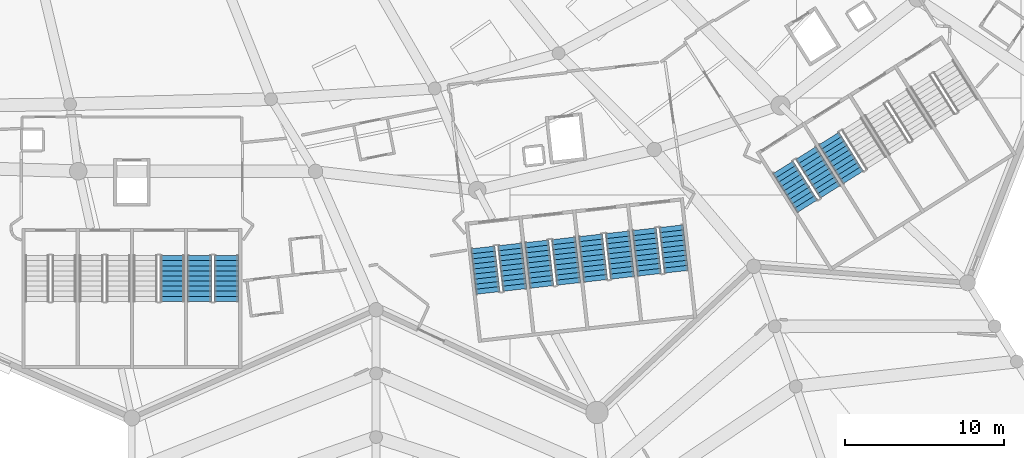
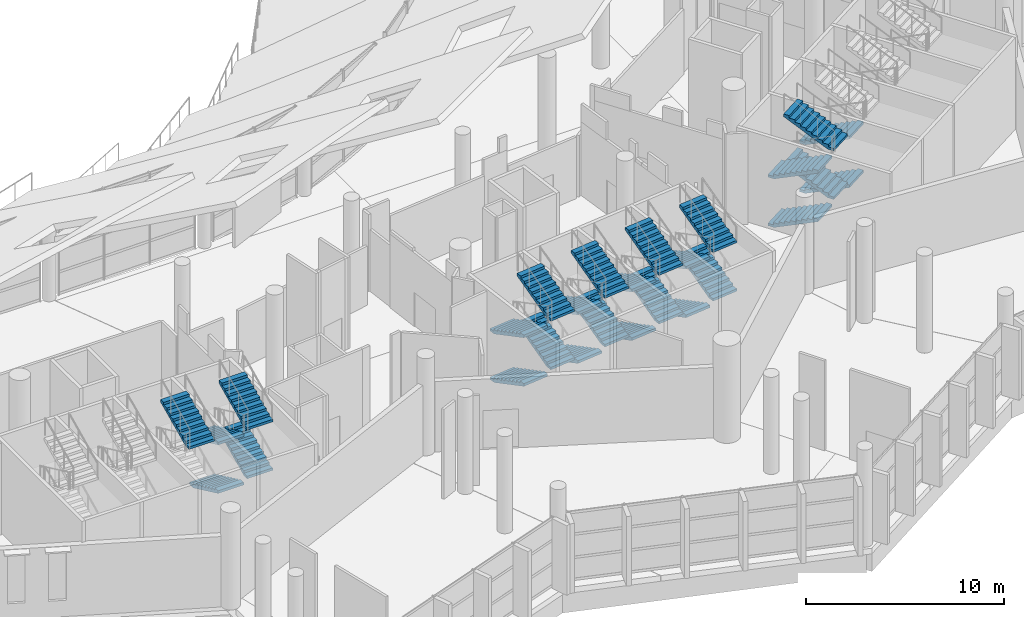
# One storey, part 187 of 249: 27 stair flights, 8 elements without a shape of their own.
"""IFC4 building model written with IfcOpenShell, lengths in metres."""

from ifc_helpers import new_model, si_unit, direction, frame, origin, place, context, subcontext, project, spatial, polyline, outline, extrude, material, type_object, element, aggregate, save


model = new_model("IFC4")

# Units and contexts
model_context = context("Model", 3, precision=1e-05, world=origin(), true_north=direction((0.0, 1.0)))
body_context = subcontext(model_context, "Body", "Model", "MODEL_VIEW")
ifc_project = project(units=[si_unit("LENGTHUNIT", "METRE"), si_unit("AREAUNIT", "SQUARE_METRE"), si_unit("VOLUMEUNIT", "CUBIC_METRE"), si_unit("PLANEANGLEUNIT", "RADIAN"), si_unit("MASSUNIT", "GRAM", prefix="KILO")], contexts=[model_context])

# Site, building, storey
site_placement = place(None, origin())
site = spatial("IfcSite", under=ifc_project, at=site_placement, CompositionType="ELEMENT")
building_placement = place(site_placement, origin())
building = spatial("IfcBuilding", under=site, at=building_placement, Name="Meseta Stadium", CompositionType="ELEMENT")
storey_placement = place(building_placement, frame((0.0, 0.0, 12.0)))
storey = spatial("IfcBuildingStorey", under=building, at=storey_placement, Name="L02", CompositionType="ELEMENT", Elevation=12.0)

# Stair, stair flight
ifc_material_1 = material(Name="Concrete C40/50", Category="concrete")
stair_type = type_object("IfcStairType", Name="Exit stair 4 flights 150 mm risers", PredefinedType="HALF_TURN_STAIR", material=ifc_material_1)
stair_1_placement = place(storey_placement, origin())
stair_1 = element("IfcStair", 1, at=stair_1_placement, inside=storey, type_object=stair_type, Name="ST99 L02", PredefinedType="HALF_TURN_STAIR")
ifc_material_2 = material(Name="Concrete C40/50", Category="concrete")
stair_flight_type = type_object("IfcStairFlightType", Name="Exit stair flight 150 mm risers, 4 per storey", PredefinedType="STRAIGHT", material=ifc_material_2)
stair_flight_1_placement = place(storey_placement, frame((25.550048828125, -98.080078125, 4.5), z_axis=(0.0, 0.0, 1.0), x_axis=(0.0, 1.0, 0.0)))
stair_flight_1 = element("IfcStairFlight", 2, at=stair_flight_1_placement, type_object=stair_flight_type, Name="ST99 L02 flight 4", NumberOfRisers=10, NumberOfTreads=9, PredefinedType="STRAIGHT", RiserHeight=0.15, TreadLength=0.32, context=body_context, shape_type="SweptSolid", body=[
    extrude(outline(polyline([(0.0, 0.0), (0.0, 0.14990234375), (0.320068359375, 0.14990234375), (0.320068359375, 0.300048828125), (0.639892578125, 0.300048828125), (0.639892578125, 0.449951171875), (0.9599609375, 0.449951171875), (0.9599609375, 0.60009765625), (1.280029296875, 0.60009765625), (1.280029296875, 0.75), (1.60009765625, 0.75), (1.60009765625, 0.89990234375), (1.919921875, 0.89990234375), (1.919921875, 1.050048828125), (2.239990234375, 1.050048828125), (2.239990234375, 1.199951171875), (2.56005859375, 1.199951171875), (2.56005859375, 1.35009765625), (2.8798828125, 1.35009765625), (2.8798828125, 1.184326171875), (0.353271484375, 0.0), (0.0, 0.0)])), frame((0.0, 0.75, 0.0), z_axis=(0.0, -1.0, 0.0), x_axis=(1.0, 0.0, 0.0)), (0.0, 0.0, 1.0), 1.5),
])
aggregate(stair_1, [stair_flight_1])

# Stair, stair flights
stair_2_placement = place(storey_placement, origin())
stair_2 = element("IfcStair", 3, at=stair_2_placement, inside=storey, type_object=stair_type, Name="ST100 L02", PredefinedType="HALF_TURN_STAIR")
stair_flight_2_placement = place(storey_placement, frame((27.25, -95.199951171875, 0.0), z_axis=(0.0, 0.0, 1.0), x_axis=(0.0, -1.0, 0.0)))
stair_flight_2 = element("IfcStairFlight", 4, at=stair_flight_2_placement, type_object=stair_flight_type, Name="ST100 L02 flight 1", NumberOfRisers=10, NumberOfTreads=9, PredefinedType="STRAIGHT", RiserHeight=0.15, TreadLength=0.32, context=body_context, shape_type="SweptSolid", body=[
    extrude(outline(polyline([(0.0, 0.0), (0.0, 0.14990234375), (0.320068359375, 0.14990234375), (0.320068359375, 0.300048828125), (0.639892578125, 0.300048828125), (0.639892578125, 0.449951171875), (0.9599609375, 0.449951171875), (0.9599609375, 0.60009765625), (1.280029296875, 0.60009765625), (1.280029296875, 0.75), (1.60009765625, 0.75), (1.60009765625, 0.89990234375), (1.919921875, 0.89990234375), (1.919921875, 1.050048828125), (2.239990234375, 1.050048828125), (2.239990234375, 1.199951171875), (2.56005859375, 1.199951171875), (2.56005859375, 1.35009765625), (2.8798828125, 1.35009765625), (2.8798828125, 1.184326171875), (0.353271484375, 0.0), (0.0, 0.0)])), frame((0.0, 0.75, 0.0), z_axis=(0.0, -1.0, 0.0), x_axis=(1.0, 0.0, 0.0)), (0.0, 0.0, 1.0), 1.5),
])
stair_flight_3_placement = place(storey_placement, frame((28.949951171875, -98.080078125, 1.5), z_axis=(0.0, 0.0, 1.0), x_axis=(0.0, 1.0, 0.0)))
stair_flight_3 = element("IfcStairFlight", 5, at=stair_flight_3_placement, type_object=stair_flight_type, Name="ST100 L02 flight 2", NumberOfRisers=10, NumberOfTreads=9, PredefinedType="STRAIGHT", RiserHeight=0.15, TreadLength=0.32, context=body_context, shape_type="SweptSolid", body=[
    extrude(outline(polyline([(0.0, 0.0), (0.0, 0.14990234375), (0.320068359375, 0.14990234375), (0.320068359375, 0.300048828125), (0.639892578125, 0.300048828125), (0.639892578125, 0.449951171875), (0.9599609375, 0.449951171875), (0.9599609375, 0.60009765625), (1.280029296875, 0.60009765625), (1.280029296875, 0.75), (1.60009765625, 0.75), (1.60009765625, 0.89990234375), (1.919921875, 0.89990234375), (1.919921875, 1.050048828125), (2.239990234375, 1.050048828125), (2.239990234375, 1.199951171875), (2.56005859375, 1.199951171875), (2.56005859375, 1.35009765625), (2.8798828125, 1.35009765625), (2.8798828125, 1.184326171875), (0.353271484375, 0.0), (0.0, 0.0)])), frame((0.0, 0.75, 0.0), z_axis=(0.0, -1.0, 0.0), x_axis=(1.0, 0.0, 0.0)), (0.0, 0.0, 1.0), 1.5),
])
stair_flight_4_placement = place(storey_placement, frame((27.25, -95.199951171875, 3.0), z_axis=(0.0, 0.0, 1.0), x_axis=(0.0, -1.0, 0.0)))
stair_flight_4 = element("IfcStairFlight", 6, at=stair_flight_4_placement, type_object=stair_flight_type, Name="ST100 L02 flight 3", NumberOfRisers=10, NumberOfTreads=9, PredefinedType="STRAIGHT", RiserHeight=0.15, TreadLength=0.32, context=body_context, shape_type="SweptSolid", body=[
    extrude(outline(polyline([(0.0, 0.0), (0.0, 0.14990234375), (0.320068359375, 0.14990234375), (0.320068359375, 0.300048828125), (0.639892578125, 0.300048828125), (0.639892578125, 0.449951171875), (0.9599609375, 0.449951171875), (0.9599609375, 0.60009765625), (1.280029296875, 0.60009765625), (1.280029296875, 0.75), (1.60009765625, 0.75), (1.60009765625, 0.89990234375), (1.919921875, 0.89990234375), (1.919921875, 1.050048828125), (2.239990234375, 1.050048828125), (2.239990234375, 1.199951171875), (2.56005859375, 1.199951171875), (2.56005859375, 1.35009765625), (2.8798828125, 1.35009765625), (2.8798828125, 1.184326171875), (0.353271484375, 0.0), (0.0, 0.0)])), frame((0.0, 0.75, 0.0), z_axis=(0.0, -1.0, 0.0), x_axis=(1.0, 0.0, 0.0)), (0.0, 0.0, 1.0), 1.5),
])
stair_flight_5_placement = place(storey_placement, frame((28.949951171875, -98.080078125, 4.5), z_axis=(0.0, 0.0, 1.0), x_axis=(0.0, 1.0, 0.0)))
stair_flight_5 = element("IfcStairFlight", 7, at=stair_flight_5_placement, type_object=stair_flight_type, Name="ST100 L02 flight 4", NumberOfRisers=10, NumberOfTreads=9, PredefinedType="STRAIGHT", RiserHeight=0.15, TreadLength=0.32, context=body_context, shape_type="SweptSolid", body=[
    extrude(outline(polyline([(0.0, 0.0), (0.0, 0.14990234375), (0.320068359375, 0.14990234375), (0.320068359375, 0.300048828125), (0.639892578125, 0.300048828125), (0.639892578125, 0.449951171875), (0.9599609375, 0.449951171875), (0.9599609375, 0.60009765625), (1.280029296875, 0.60009765625), (1.280029296875, 0.75), (1.60009765625, 0.75), (1.60009765625, 0.89990234375), (1.919921875, 0.89990234375), (1.919921875, 1.050048828125), (2.239990234375, 1.050048828125), (2.239990234375, 1.199951171875), (2.56005859375, 1.199951171875), (2.56005859375, 1.35009765625), (2.8798828125, 1.35009765625), (2.8798828125, 1.184326171875), (0.353271484375, 0.0), (0.0, 0.0)])), frame((0.0, 0.75, 0.0), z_axis=(0.0, -1.0, 0.0), x_axis=(1.0, 0.0, 0.0)), (0.0, 0.0, 1.0), 1.5),
])
aggregate(stair_2, [stair_flight_2, stair_flight_3, stair_flight_4, stair_flight_5])

stair_3_placement = place(storey_placement, origin())
stair_3 = element("IfcStair", 8, at=stair_3_placement, inside=storey, type_object=stair_type, Name="ST101 L02", PredefinedType="HALF_TURN_STAIR")
stair_flight_6_placement = place(storey_placement, frame((45.04736328125, -94.687744140625, 0.0), z_axis=(0.0, 0.0, 1.0), x_axis=(0.11196446867, -0.993712210731, 0.0)))
stair_flight_6 = element("IfcStairFlight", 9, at=stair_flight_6_placement, type_object=stair_flight_type, Name="ST101 L02 flight 1", NumberOfRisers=10, NumberOfTreads=9, PredefinedType="STRAIGHT", RiserHeight=0.15, TreadLength=0.32, context=body_context, shape_type="SweptSolid", body=[
    extrude(outline(polyline([(0.0, 0.0), (0.0, 0.14990234375), (0.320068359375, 0.14990234375), (0.320068359375, 0.300048828125), (0.639892578125, 0.300048828125), (0.639892578125, 0.449951171875), (0.9599609375, 0.449951171875), (0.9599609375, 0.60009765625), (1.280029296875, 0.60009765625), (1.280029296875, 0.75), (1.60009765625, 0.75), (1.60009765625, 0.89990234375), (1.919921875, 0.89990234375), (1.919921875, 1.050048828125), (2.239990234375, 1.050048828125), (2.239990234375, 1.199951171875), (2.56005859375, 1.199951171875), (2.56005859375, 1.35009765625), (2.8798828125, 1.35009765625), (2.8798828125, 1.184326171875), (0.353271484375, 0.0), (0.0, 0.0)])), frame((0.0, 0.75, 0.0), z_axis=(0.0, -1.0, 0.0), x_axis=(1.0, 0.0, 0.0)), (0.0, 0.0, 1.0), 1.5),
])
stair_flight_7_placement = place(storey_placement, frame((47.059326171875, -97.359130859375, 1.5), z_axis=(0.0, 0.0, 1.0), x_axis=(-0.11196446867, 0.993712210731, 0.0)))
stair_flight_7 = element("IfcStairFlight", 10, at=stair_flight_7_placement, type_object=stair_flight_type, Name="ST101 L02 flight 2", NumberOfRisers=10, NumberOfTreads=9, PredefinedType="STRAIGHT", RiserHeight=0.15, TreadLength=0.32, context=body_context, shape_type="SweptSolid", body=[
    extrude(outline(polyline([(0.0, 0.0), (0.0, 0.14990234375), (0.320068359375, 0.14990234375), (0.320068359375, 0.300048828125), (0.639892578125, 0.300048828125), (0.639892578125, 0.449951171875), (0.9599609375, 0.449951171875), (0.9599609375, 0.60009765625), (1.280029296875, 0.60009765625), (1.280029296875, 0.75), (1.60009765625, 0.75), (1.60009765625, 0.89990234375), (1.919921875, 0.89990234375), (1.919921875, 1.050048828125), (2.239990234375, 1.050048828125), (2.239990234375, 1.199951171875), (2.56005859375, 1.199951171875), (2.56005859375, 1.35009765625), (2.8798828125, 1.35009765625), (2.8798828125, 1.184326171875), (0.353271484375, 0.0), (0.0, 0.0)])), frame((0.0, 0.75, 0.0), z_axis=(0.0, -1.0, 0.0), x_axis=(1.0, 0.0, 0.0)), (0.0, 0.0, 1.0), 1.5),
])
stair_flight_8_placement = place(storey_placement, frame((45.04736328125, -94.687744140625, 3.0), z_axis=(0.0, 0.0, 1.0), x_axis=(0.11196446867, -0.993712210731, 0.0)))
stair_flight_8 = element("IfcStairFlight", 11, at=stair_flight_8_placement, type_object=stair_flight_type, Name="ST101 L02 flight 3", NumberOfRisers=10, NumberOfTreads=9, PredefinedType="STRAIGHT", RiserHeight=0.15, TreadLength=0.32, context=body_context, shape_type="SweptSolid", body=[
    extrude(outline(polyline([(0.0, 0.0), (0.0, 0.14990234375), (0.320068359375, 0.14990234375), (0.320068359375, 0.300048828125), (0.639892578125, 0.300048828125), (0.639892578125, 0.449951171875), (0.9599609375, 0.449951171875), (0.9599609375, 0.60009765625), (1.280029296875, 0.60009765625), (1.280029296875, 0.75), (1.60009765625, 0.75), (1.60009765625, 0.89990234375), (1.919921875, 0.89990234375), (1.919921875, 1.050048828125), (2.239990234375, 1.050048828125), (2.239990234375, 1.199951171875), (2.56005859375, 1.199951171875), (2.56005859375, 1.35009765625), (2.8798828125, 1.35009765625), (2.8798828125, 1.184326171875), (0.353271484375, 0.0), (0.0, 0.0)])), frame((0.0, 0.75, 0.0), z_axis=(0.0, -1.0, 0.0), x_axis=(1.0, 0.0, 0.0)), (0.0, 0.0, 1.0), 1.5),
])
stair_flight_9_placement = place(storey_placement, frame((47.059326171875, -97.359130859375, 4.5), z_axis=(0.0, 0.0, 1.0), x_axis=(-0.11196446867, 0.993712210731, 0.0)))
stair_flight_9 = element("IfcStairFlight", 12, at=stair_flight_9_placement, type_object=stair_flight_type, Name="ST101 L02 flight 4", NumberOfRisers=10, NumberOfTreads=9, PredefinedType="STRAIGHT", RiserHeight=0.15, TreadLength=0.32, context=body_context, shape_type="SweptSolid", body=[
    extrude(outline(polyline([(0.0, 0.0), (0.0, 0.14990234375), (0.320068359375, 0.14990234375), (0.320068359375, 0.300048828125), (0.639892578125, 0.300048828125), (0.639892578125, 0.449951171875), (0.9599609375, 0.449951171875), (0.9599609375, 0.60009765625), (1.280029296875, 0.60009765625), (1.280029296875, 0.75), (1.60009765625, 0.75), (1.60009765625, 0.89990234375), (1.919921875, 0.89990234375), (1.919921875, 1.050048828125), (2.239990234375, 1.050048828125), (2.239990234375, 1.199951171875), (2.56005859375, 1.199951171875), (2.56005859375, 1.35009765625), (2.8798828125, 1.35009765625), (2.8798828125, 1.184326171875), (0.353271484375, 0.0), (0.0, 0.0)])), frame((0.0, 0.75, 0.0), z_axis=(0.0, -1.0, 0.0), x_axis=(1.0, 0.0, 0.0)), (0.0, 0.0, 1.0), 1.5),
])
aggregate(stair_3, [stair_flight_6, stair_flight_7, stair_flight_8, stair_flight_9])

stair_4_placement = place(storey_placement, origin())
stair_4 = element("IfcStair", 13, at=stair_4_placement, inside=storey, type_object=stair_type, Name="ST102 L02", PredefinedType="HALF_TURN_STAIR")
stair_flight_10_placement = place(storey_placement, frame((48.426025390625, -94.306884765625, 0.0), z_axis=(0.0, 0.0, 1.0), x_axis=(0.11196446867, -0.993712210731, 0.0)))
stair_flight_10 = element("IfcStairFlight", 14, at=stair_flight_10_placement, type_object=stair_flight_type, Name="ST102 L02 flight 1", NumberOfRisers=10, NumberOfTreads=9, PredefinedType="STRAIGHT", RiserHeight=0.15, TreadLength=0.32, context=body_context, shape_type="SweptSolid", body=[
    extrude(outline(polyline([(0.0, 0.0), (0.0, 0.14990234375), (0.320068359375, 0.14990234375), (0.320068359375, 0.300048828125), (0.639892578125, 0.300048828125), (0.639892578125, 0.449951171875), (0.9599609375, 0.449951171875), (0.9599609375, 0.60009765625), (1.280029296875, 0.60009765625), (1.280029296875, 0.75), (1.60009765625, 0.75), (1.60009765625, 0.89990234375), (1.919921875, 0.89990234375), (1.919921875, 1.050048828125), (2.239990234375, 1.050048828125), (2.239990234375, 1.199951171875), (2.56005859375, 1.199951171875), (2.56005859375, 1.35009765625), (2.8798828125, 1.35009765625), (2.8798828125, 1.184326171875), (0.353271484375, 0.0), (0.0, 0.0)])), frame((0.0, 0.75, 0.0), z_axis=(0.0, -1.0, 0.0), x_axis=(1.0, 0.0, 0.0)), (0.0, 0.0, 1.0), 1.5),
])
stair_flight_11_placement = place(storey_placement, frame((50.437744140625, -96.978515625, 1.5), z_axis=(0.0, 0.0, 1.0), x_axis=(-0.11196446867, 0.993712210731, 0.0)))
stair_flight_11 = element("IfcStairFlight", 15, at=stair_flight_11_placement, type_object=stair_flight_type, Name="ST102 L02 flight 2", NumberOfRisers=10, NumberOfTreads=9, PredefinedType="STRAIGHT", RiserHeight=0.15, TreadLength=0.32, context=body_context, shape_type="SweptSolid", body=[
    extrude(outline(polyline([(0.0, 0.0), (0.0, 0.14990234375), (0.320068359375, 0.14990234375), (0.320068359375, 0.300048828125), (0.639892578125, 0.300048828125), (0.639892578125, 0.449951171875), (0.9599609375, 0.449951171875), (0.9599609375, 0.60009765625), (1.280029296875, 0.60009765625), (1.280029296875, 0.75), (1.60009765625, 0.75), (1.60009765625, 0.89990234375), (1.919921875, 0.89990234375), (1.919921875, 1.050048828125), (2.239990234375, 1.050048828125), (2.239990234375, 1.199951171875), (2.56005859375, 1.199951171875), (2.56005859375, 1.35009765625), (2.8798828125, 1.35009765625), (2.8798828125, 1.184326171875), (0.353271484375, 0.0), (0.0, 0.0)])), frame((0.0, 0.75, 0.0), z_axis=(0.0, -1.0, 0.0), x_axis=(1.0, 0.0, 0.0)), (0.0, 0.0, 1.0), 1.5),
])
stair_flight_12_placement = place(storey_placement, frame((48.426025390625, -94.306884765625, 3.0), z_axis=(0.0, 0.0, 1.0), x_axis=(0.11196446867, -0.993712210731, 0.0)))
stair_flight_12 = element("IfcStairFlight", 16, at=stair_flight_12_placement, type_object=stair_flight_type, Name="ST102 L02 flight 3", NumberOfRisers=10, NumberOfTreads=9, PredefinedType="STRAIGHT", RiserHeight=0.15, TreadLength=0.32, context=body_context, shape_type="SweptSolid", body=[
    extrude(outline(polyline([(0.0, 0.0), (0.0, 0.14990234375), (0.320068359375, 0.14990234375), (0.320068359375, 0.300048828125), (0.639892578125, 0.300048828125), (0.639892578125, 0.449951171875), (0.9599609375, 0.449951171875), (0.9599609375, 0.60009765625), (1.280029296875, 0.60009765625), (1.280029296875, 0.75), (1.60009765625, 0.75), (1.60009765625, 0.89990234375), (1.919921875, 0.89990234375), (1.919921875, 1.050048828125), (2.239990234375, 1.050048828125), (2.239990234375, 1.199951171875), (2.56005859375, 1.199951171875), (2.56005859375, 1.35009765625), (2.8798828125, 1.35009765625), (2.8798828125, 1.184326171875), (0.353271484375, 0.0), (0.0, 0.0)])), frame((0.0, 0.75, 0.0), z_axis=(0.0, -1.0, 0.0), x_axis=(1.0, 0.0, 0.0)), (0.0, 0.0, 1.0), 1.5),
])
stair_flight_13_placement = place(storey_placement, frame((50.437744140625, -96.978515625, 4.5), z_axis=(0.0, 0.0, 1.0), x_axis=(-0.11196446867, 0.993712210731, 0.0)))
stair_flight_13 = element("IfcStairFlight", 17, at=stair_flight_13_placement, type_object=stair_flight_type, Name="ST102 L02 flight 4", NumberOfRisers=10, NumberOfTreads=9, PredefinedType="STRAIGHT", RiserHeight=0.15, TreadLength=0.32, context=body_context, shape_type="SweptSolid", body=[
    extrude(outline(polyline([(0.0, 0.0), (0.0, 0.14990234375), (0.320068359375, 0.14990234375), (0.320068359375, 0.300048828125), (0.639892578125, 0.300048828125), (0.639892578125, 0.449951171875), (0.9599609375, 0.449951171875), (0.9599609375, 0.60009765625), (1.280029296875, 0.60009765625), (1.280029296875, 0.75), (1.60009765625, 0.75), (1.60009765625, 0.89990234375), (1.919921875, 0.89990234375), (1.919921875, 1.050048828125), (2.239990234375, 1.050048828125), (2.239990234375, 1.199951171875), (2.56005859375, 1.199951171875), (2.56005859375, 1.35009765625), (2.8798828125, 1.35009765625), (2.8798828125, 1.184326171875), (0.353271484375, 0.0), (0.0, 0.0)])), frame((0.0, 0.75, 0.0), z_axis=(0.0, -1.0, 0.0), x_axis=(1.0, 0.0, 0.0)), (0.0, 0.0, 1.0), 1.5),
])
aggregate(stair_4, [stair_flight_10, stair_flight_11, stair_flight_12, stair_flight_13])

stair_5_placement = place(storey_placement, origin())
stair_5 = element("IfcStair", 18, at=stair_5_placement, inside=storey, type_object=stair_type, Name="ST103 L02", PredefinedType="HALF_TURN_STAIR")
stair_flight_14_placement = place(storey_placement, frame((51.8046875, -93.92626953125, 0.0), z_axis=(0.0, 0.0, 1.0), x_axis=(0.11196446867, -0.993712210731, 0.0)))
stair_flight_14 = element("IfcStairFlight", 19, at=stair_flight_14_placement, type_object=stair_flight_type, Name="ST103 L02 flight 1", NumberOfRisers=10, NumberOfTreads=9, PredefinedType="STRAIGHT", RiserHeight=0.15, TreadLength=0.32, context=body_context, shape_type="SweptSolid", body=[
    extrude(outline(polyline([(0.0, 0.0), (0.0, 0.14990234375), (0.320068359375, 0.14990234375), (0.320068359375, 0.300048828125), (0.639892578125, 0.300048828125), (0.639892578125, 0.449951171875), (0.9599609375, 0.449951171875), (0.9599609375, 0.60009765625), (1.280029296875, 0.60009765625), (1.280029296875, 0.75), (1.60009765625, 0.75), (1.60009765625, 0.89990234375), (1.919921875, 0.89990234375), (1.919921875, 1.050048828125), (2.239990234375, 1.050048828125), (2.239990234375, 1.199951171875), (2.56005859375, 1.199951171875), (2.56005859375, 1.35009765625), (2.8798828125, 1.35009765625), (2.8798828125, 1.184326171875), (0.353271484375, 0.0), (0.0, 0.0)])), frame((0.0, 0.75, 0.0), z_axis=(0.0, -1.0, 0.0), x_axis=(1.0, 0.0, 0.0)), (0.0, 0.0, 1.0), 1.5),
])
stair_flight_15_placement = place(storey_placement, frame((53.81640625, -96.597900390625, 1.5), z_axis=(0.0, 0.0, 1.0), x_axis=(-0.11196446867, 0.993712210731, 0.0)))
stair_flight_15 = element("IfcStairFlight", 20, at=stair_flight_15_placement, type_object=stair_flight_type, Name="ST103 L02 flight 2", NumberOfRisers=10, NumberOfTreads=9, PredefinedType="STRAIGHT", RiserHeight=0.15, TreadLength=0.32, context=body_context, shape_type="SweptSolid", body=[
    extrude(outline(polyline([(0.0, 0.0), (0.0, 0.14990234375), (0.320068359375, 0.14990234375), (0.320068359375, 0.300048828125), (0.639892578125, 0.300048828125), (0.639892578125, 0.449951171875), (0.9599609375, 0.449951171875), (0.9599609375, 0.60009765625), (1.280029296875, 0.60009765625), (1.280029296875, 0.75), (1.60009765625, 0.75), (1.60009765625, 0.89990234375), (1.919921875, 0.89990234375), (1.919921875, 1.050048828125), (2.239990234375, 1.050048828125), (2.239990234375, 1.199951171875), (2.56005859375, 1.199951171875), (2.56005859375, 1.35009765625), (2.8798828125, 1.35009765625), (2.8798828125, 1.184326171875), (0.353271484375, 0.0), (0.0, 0.0)])), frame((0.0, 0.75, 0.0), z_axis=(0.0, -1.0, 0.0), x_axis=(1.0, 0.0, 0.0)), (0.0, 0.0, 1.0), 1.5),
])
stair_flight_16_placement = place(storey_placement, frame((51.8046875, -93.92626953125, 3.0), z_axis=(0.0, 0.0, 1.0), x_axis=(0.11196446867, -0.993712210731, 0.0)))
stair_flight_16 = element("IfcStairFlight", 21, at=stair_flight_16_placement, type_object=stair_flight_type, Name="ST103 L02 flight 3", NumberOfRisers=10, NumberOfTreads=9, PredefinedType="STRAIGHT", RiserHeight=0.15, TreadLength=0.32, context=body_context, shape_type="SweptSolid", body=[
    extrude(outline(polyline([(0.0, 0.0), (0.0, 0.14990234375), (0.320068359375, 0.14990234375), (0.320068359375, 0.300048828125), (0.639892578125, 0.300048828125), (0.639892578125, 0.449951171875), (0.9599609375, 0.449951171875), (0.9599609375, 0.60009765625), (1.280029296875, 0.60009765625), (1.280029296875, 0.75), (1.60009765625, 0.75), (1.60009765625, 0.89990234375), (1.919921875, 0.89990234375), (1.919921875, 1.050048828125), (2.239990234375, 1.050048828125), (2.239990234375, 1.199951171875), (2.56005859375, 1.199951171875), (2.56005859375, 1.35009765625), (2.8798828125, 1.35009765625), (2.8798828125, 1.184326171875), (0.353271484375, 0.0), (0.0, 0.0)])), frame((0.0, 0.75, 0.0), z_axis=(0.0, -1.0, 0.0), x_axis=(1.0, 0.0, 0.0)), (0.0, 0.0, 1.0), 1.5),
])
stair_flight_17_placement = place(storey_placement, frame((53.81640625, -96.597900390625, 4.5), z_axis=(0.0, 0.0, 1.0), x_axis=(-0.11196446867, 0.993712210731, 0.0)))
stair_flight_17 = element("IfcStairFlight", 22, at=stair_flight_17_placement, type_object=stair_flight_type, Name="ST103 L02 flight 4", NumberOfRisers=10, NumberOfTreads=9, PredefinedType="STRAIGHT", RiserHeight=0.15, TreadLength=0.32, context=body_context, shape_type="SweptSolid", body=[
    extrude(outline(polyline([(0.0, 0.0), (0.0, 0.14990234375), (0.320068359375, 0.14990234375), (0.320068359375, 0.300048828125), (0.639892578125, 0.300048828125), (0.639892578125, 0.449951171875), (0.9599609375, 0.449951171875), (0.9599609375, 0.60009765625), (1.280029296875, 0.60009765625), (1.280029296875, 0.75), (1.60009765625, 0.75), (1.60009765625, 0.89990234375), (1.919921875, 0.89990234375), (1.919921875, 1.050048828125), (2.239990234375, 1.050048828125), (2.239990234375, 1.199951171875), (2.56005859375, 1.199951171875), (2.56005859375, 1.35009765625), (2.8798828125, 1.35009765625), (2.8798828125, 1.184326171875), (0.353271484375, 0.0), (0.0, 0.0)])), frame((0.0, 0.75, 0.0), z_axis=(0.0, -1.0, 0.0), x_axis=(1.0, 0.0, 0.0)), (0.0, 0.0, 1.0), 1.5),
])
aggregate(stair_5, [stair_flight_14, stair_flight_15, stair_flight_16, stair_flight_17])

stair_6_placement = place(storey_placement, origin())
stair_6 = element("IfcStair", 23, at=stair_6_placement, inside=storey, type_object=stair_type, Name="ST104 L02", PredefinedType="HALF_TURN_STAIR")
stair_flight_18_placement = place(storey_placement, frame((55.183349609375, -93.545654296875, 0.0), z_axis=(0.0, 0.0, 1.0), x_axis=(0.11196446867, -0.993712210731, 0.0)))
stair_flight_18 = element("IfcStairFlight", 24, at=stair_flight_18_placement, type_object=stair_flight_type, Name="ST104 L02 flight 1", NumberOfRisers=10, NumberOfTreads=9, PredefinedType="STRAIGHT", RiserHeight=0.15, TreadLength=0.32, context=body_context, shape_type="SweptSolid", body=[
    extrude(outline(polyline([(0.0, 0.0), (0.0, 0.14990234375), (0.320068359375, 0.14990234375), (0.320068359375, 0.300048828125), (0.639892578125, 0.300048828125), (0.639892578125, 0.449951171875), (0.9599609375, 0.449951171875), (0.9599609375, 0.60009765625), (1.280029296875, 0.60009765625), (1.280029296875, 0.75), (1.60009765625, 0.75), (1.60009765625, 0.89990234375), (1.919921875, 0.89990234375), (1.919921875, 1.050048828125), (2.239990234375, 1.050048828125), (2.239990234375, 1.199951171875), (2.56005859375, 1.199951171875), (2.56005859375, 1.35009765625), (2.8798828125, 1.35009765625), (2.8798828125, 1.184326171875), (0.353271484375, 0.0), (0.0, 0.0)])), frame((0.0, 0.75, 0.0), z_axis=(0.0, -1.0, 0.0), x_axis=(1.0, 0.0, 0.0)), (0.0, 0.0, 1.0), 1.5),
])
stair_flight_19_placement = place(storey_placement, frame((57.195068359375, -96.217041015625, 1.5), z_axis=(0.0, 0.0, 1.0), x_axis=(-0.11196446867, 0.993712210731, 0.0)))
stair_flight_19 = element("IfcStairFlight", 25, at=stair_flight_19_placement, type_object=stair_flight_type, Name="ST104 L02 flight 2", NumberOfRisers=10, NumberOfTreads=9, PredefinedType="STRAIGHT", RiserHeight=0.15, TreadLength=0.32, context=body_context, shape_type="SweptSolid", body=[
    extrude(outline(polyline([(0.0, 0.0), (0.0, 0.14990234375), (0.320068359375, 0.14990234375), (0.320068359375, 0.300048828125), (0.639892578125, 0.300048828125), (0.639892578125, 0.449951171875), (0.9599609375, 0.449951171875), (0.9599609375, 0.60009765625), (1.280029296875, 0.60009765625), (1.280029296875, 0.75), (1.60009765625, 0.75), (1.60009765625, 0.89990234375), (1.919921875, 0.89990234375), (1.919921875, 1.050048828125), (2.239990234375, 1.050048828125), (2.239990234375, 1.199951171875), (2.56005859375, 1.199951171875), (2.56005859375, 1.35009765625), (2.8798828125, 1.35009765625), (2.8798828125, 1.184326171875), (0.353271484375, 0.0), (0.0, 0.0)])), frame((0.0, 0.75, 0.0), z_axis=(0.0, -1.0, 0.0), x_axis=(1.0, 0.0, 0.0)), (0.0, 0.0, 1.0), 1.5),
])
stair_flight_20_placement = place(storey_placement, frame((55.183349609375, -93.545654296875, 3.0), z_axis=(0.0, 0.0, 1.0), x_axis=(0.11196446867, -0.993712210731, 0.0)))
stair_flight_20 = element("IfcStairFlight", 26, at=stair_flight_20_placement, type_object=stair_flight_type, Name="ST104 L02 flight 3", NumberOfRisers=10, NumberOfTreads=9, PredefinedType="STRAIGHT", RiserHeight=0.15, TreadLength=0.32, context=body_context, shape_type="SweptSolid", body=[
    extrude(outline(polyline([(0.0, 0.0), (0.0, 0.14990234375), (0.320068359375, 0.14990234375), (0.320068359375, 0.300048828125), (0.639892578125, 0.300048828125), (0.639892578125, 0.449951171875), (0.9599609375, 0.449951171875), (0.9599609375, 0.60009765625), (1.280029296875, 0.60009765625), (1.280029296875, 0.75), (1.60009765625, 0.75), (1.60009765625, 0.89990234375), (1.919921875, 0.89990234375), (1.919921875, 1.050048828125), (2.239990234375, 1.050048828125), (2.239990234375, 1.199951171875), (2.56005859375, 1.199951171875), (2.56005859375, 1.35009765625), (2.8798828125, 1.35009765625), (2.8798828125, 1.184326171875), (0.353271484375, 0.0), (0.0, 0.0)])), frame((0.0, 0.75, 0.0), z_axis=(0.0, -1.0, 0.0), x_axis=(1.0, 0.0, 0.0)), (0.0, 0.0, 1.0), 1.5),
])
stair_flight_21_placement = place(storey_placement, frame((57.195068359375, -96.217041015625, 4.5), z_axis=(0.0, 0.0, 1.0), x_axis=(-0.11196446867, 0.993712210731, 0.0)))
stair_flight_21 = element("IfcStairFlight", 27, at=stair_flight_21_placement, type_object=stair_flight_type, Name="ST104 L02 flight 4", NumberOfRisers=10, NumberOfTreads=9, PredefinedType="STRAIGHT", RiserHeight=0.15, TreadLength=0.32, context=body_context, shape_type="SweptSolid", body=[
    extrude(outline(polyline([(0.0, 0.0), (0.0, 0.14990234375), (0.320068359375, 0.14990234375), (0.320068359375, 0.300048828125), (0.639892578125, 0.300048828125), (0.639892578125, 0.449951171875), (0.9599609375, 0.449951171875), (0.9599609375, 0.60009765625), (1.280029296875, 0.60009765625), (1.280029296875, 0.75), (1.60009765625, 0.75), (1.60009765625, 0.89990234375), (1.919921875, 0.89990234375), (1.919921875, 1.050048828125), (2.239990234375, 1.050048828125), (2.239990234375, 1.199951171875), (2.56005859375, 1.199951171875), (2.56005859375, 1.35009765625), (2.8798828125, 1.35009765625), (2.8798828125, 1.184326171875), (0.353271484375, 0.0), (0.0, 0.0)])), frame((0.0, 0.75, 0.0), z_axis=(0.0, -1.0, 0.0), x_axis=(1.0, 0.0, 0.0)), (0.0, 0.0, 1.0), 1.5),
])
aggregate(stair_6, [stair_flight_18, stair_flight_19, stair_flight_20, stair_flight_21])

stair_7_placement = place(storey_placement, origin())
stair_7 = element("IfcStair", 28, at=stair_7_placement, inside=storey, type_object=stair_type, Name="ST105 L02", PredefinedType="HALF_TURN_STAIR")
stair_flight_22_placement = place(storey_placement, frame((63.892578125, -89.659423828125, 0.0), z_axis=(0.0, 0.0, 1.0), x_axis=(0.532032074404, -0.846724200555, 0.0)))
stair_flight_22 = element("IfcStairFlight", 29, at=stair_flight_22_placement, type_object=stair_flight_type, Name="ST105 L02 flight 1", NumberOfRisers=10, NumberOfTreads=9, PredefinedType="STRAIGHT", RiserHeight=0.15, TreadLength=0.32, context=body_context, shape_type="SweptSolid", body=[
    extrude(outline(polyline([(0.0, 0.0), (0.0, 0.14990234375), (0.320068359375, 0.14990234375), (0.320068359375, 0.300048828125), (0.639892578125, 0.300048828125), (0.639892578125, 0.449951171875), (0.9599609375, 0.449951171875), (0.9599609375, 0.60009765625), (1.280029296875, 0.60009765625), (1.280029296875, 0.75), (1.60009765625, 0.75), (1.60009765625, 0.89990234375), (1.919921875, 0.89990234375), (1.919921875, 1.050048828125), (2.239990234375, 1.050048828125), (2.239990234375, 1.199951171875), (2.56005859375, 1.199951171875), (2.56005859375, 1.35009765625), (2.8798828125, 1.35009765625), (2.8798828125, 1.184326171875), (0.353271484375, 0.0), (0.0, 0.0)])), frame((0.0, 0.75, 0.0), z_axis=(0.0, -1.0, 0.0), x_axis=(1.0, 0.0, 0.0)), (0.0, 0.0, 1.0), 1.5),
])
stair_flight_23_placement = place(storey_placement, frame((66.8642578125, -91.193603515625, 1.5), z_axis=(0.0, 0.0, 1.0), x_axis=(-0.532032074404, 0.846724200555, 0.0)))
stair_flight_23 = element("IfcStairFlight", 30, at=stair_flight_23_placement, type_object=stair_flight_type, Name="ST105 L02 flight 2", NumberOfRisers=10, NumberOfTreads=9, PredefinedType="STRAIGHT", RiserHeight=0.15, TreadLength=0.32, context=body_context, shape_type="SweptSolid", body=[
    extrude(outline(polyline([(0.0, 0.0), (0.0, 0.14990234375), (0.320068359375, 0.14990234375), (0.320068359375, 0.300048828125), (0.639892578125, 0.300048828125), (0.639892578125, 0.449951171875), (0.9599609375, 0.449951171875), (0.9599609375, 0.60009765625), (1.280029296875, 0.60009765625), (1.280029296875, 0.75), (1.60009765625, 0.75), (1.60009765625, 0.89990234375), (1.919921875, 0.89990234375), (1.919921875, 1.050048828125), (2.239990234375, 1.050048828125), (2.239990234375, 1.199951171875), (2.56005859375, 1.199951171875), (2.56005859375, 1.35009765625), (2.8798828125, 1.35009765625), (2.8798828125, 1.184326171875), (0.353271484375, 0.0), (0.0, 0.0)])), frame((0.0, 0.75, 0.0), z_axis=(0.0, -1.0, 0.0), x_axis=(1.0, 0.0, 0.0)), (0.0, 0.0, 1.0), 1.5),
])
stair_flight_24_placement = place(storey_placement, frame((63.892578125, -89.659423828125, 3.0), z_axis=(0.0, 0.0, 1.0), x_axis=(0.532032074404, -0.846724200555, 0.0)))
stair_flight_24 = element("IfcStairFlight", 31, at=stair_flight_24_placement, type_object=stair_flight_type, Name="ST105 L02 flight 3", NumberOfRisers=10, NumberOfTreads=9, PredefinedType="STRAIGHT", RiserHeight=0.15, TreadLength=0.32, context=body_context, shape_type="SweptSolid", body=[
    extrude(outline(polyline([(0.0, 0.0), (0.0, 0.14990234375), (0.320068359375, 0.14990234375), (0.320068359375, 0.300048828125), (0.639892578125, 0.300048828125), (0.639892578125, 0.449951171875), (0.9599609375, 0.449951171875), (0.9599609375, 0.60009765625), (1.280029296875, 0.60009765625), (1.280029296875, 0.75), (1.60009765625, 0.75), (1.60009765625, 0.89990234375), (1.919921875, 0.89990234375), (1.919921875, 1.050048828125), (2.239990234375, 1.050048828125), (2.239990234375, 1.199951171875), (2.56005859375, 1.199951171875), (2.56005859375, 1.35009765625), (2.8798828125, 1.35009765625), (2.8798828125, 1.184326171875), (0.353271484375, 0.0), (0.0, 0.0)])), frame((0.0, 0.75, 0.0), z_axis=(0.0, -1.0, 0.0), x_axis=(1.0, 0.0, 0.0)), (0.0, 0.0, 1.0), 1.5),
])
stair_flight_25_placement = place(storey_placement, frame((66.8642578125, -91.193603515625, 4.5), z_axis=(0.0, 0.0, 1.0), x_axis=(-0.532032074404, 0.846724200555, 0.0)))
stair_flight_25 = element("IfcStairFlight", 32, at=stair_flight_25_placement, type_object=stair_flight_type, Name="ST105 L02 flight 4", NumberOfRisers=10, NumberOfTreads=9, PredefinedType="STRAIGHT", RiserHeight=0.15, TreadLength=0.32, context=body_context, shape_type="SweptSolid", body=[
    extrude(outline(polyline([(0.0, 0.0), (0.0, 0.14990234375), (0.320068359375, 0.14990234375), (0.320068359375, 0.300048828125), (0.639892578125, 0.300048828125), (0.639892578125, 0.449951171875), (0.9599609375, 0.449951171875), (0.9599609375, 0.60009765625), (1.280029296875, 0.60009765625), (1.280029296875, 0.75), (1.60009765625, 0.75), (1.60009765625, 0.89990234375), (1.919921875, 0.89990234375), (1.919921875, 1.050048828125), (2.239990234375, 1.050048828125), (2.239990234375, 1.199951171875), (2.56005859375, 1.199951171875), (2.56005859375, 1.35009765625), (2.8798828125, 1.35009765625), (2.8798828125, 1.184326171875), (0.353271484375, 0.0), (0.0, 0.0)])), frame((0.0, 0.75, 0.0), z_axis=(0.0, -1.0, 0.0), x_axis=(1.0, 0.0, 0.0)), (0.0, 0.0, 1.0), 1.5),
])
aggregate(stair_7, [stair_flight_22, stair_flight_23, stair_flight_24, stair_flight_25])

stair_8_placement = place(storey_placement, origin())
stair_8 = element("IfcStair", 33, at=stair_8_placement, inside=storey, type_object=stair_type, Name="ST106 L02", PredefinedType="HALF_TURN_STAIR")
stair_flight_26_placement = place(storey_placement, frame((66.771484375, -87.8505859375, 0.0), z_axis=(0.0, 0.0, 1.0), x_axis=(0.532032074404, -0.846724200555, 0.0)))
stair_flight_26 = element("IfcStairFlight", 34, at=stair_flight_26_placement, type_object=stair_flight_type, Name="ST106 L02 flight 1", NumberOfRisers=10, NumberOfTreads=9, PredefinedType="STRAIGHT", RiserHeight=0.15, TreadLength=0.32, context=body_context, shape_type="SweptSolid", body=[
    extrude(outline(polyline([(0.0, 0.0), (0.0, 0.14990234375), (0.320068359375, 0.14990234375), (0.320068359375, 0.300048828125), (0.639892578125, 0.300048828125), (0.639892578125, 0.449951171875), (0.9599609375, 0.449951171875), (0.9599609375, 0.60009765625), (1.280029296875, 0.60009765625), (1.280029296875, 0.75), (1.60009765625, 0.75), (1.60009765625, 0.89990234375), (1.919921875, 0.89990234375), (1.919921875, 1.050048828125), (2.239990234375, 1.050048828125), (2.239990234375, 1.199951171875), (2.56005859375, 1.199951171875), (2.56005859375, 1.35009765625), (2.8798828125, 1.35009765625), (2.8798828125, 1.184326171875), (0.353271484375, 0.0), (0.0, 0.0)])), frame((0.0, 0.75, 0.0), z_axis=(0.0, -1.0, 0.0), x_axis=(1.0, 0.0, 0.0)), (0.0, 0.0, 1.0), 1.5),
])
stair_flight_27_placement = place(storey_placement, frame((66.771484375, -87.8505859375, 3.0), z_axis=(0.0, 0.0, 1.0), x_axis=(0.532032074404, -0.846724200555, 0.0)))
stair_flight_27 = element("IfcStairFlight", 35, at=stair_flight_27_placement, type_object=stair_flight_type, Name="ST106 L02 flight 3", NumberOfRisers=10, NumberOfTreads=9, PredefinedType="STRAIGHT", RiserHeight=0.15, TreadLength=0.32, context=body_context, shape_type="SweptSolid", body=[
    extrude(outline(polyline([(0.0, 0.0), (0.0, 0.14990234375), (0.320068359375, 0.14990234375), (0.320068359375, 0.300048828125), (0.639892578125, 0.300048828125), (0.639892578125, 0.449951171875), (0.9599609375, 0.449951171875), (0.9599609375, 0.60009765625), (1.280029296875, 0.60009765625), (1.280029296875, 0.75), (1.60009765625, 0.75), (1.60009765625, 0.89990234375), (1.919921875, 0.89990234375), (1.919921875, 1.050048828125), (2.239990234375, 1.050048828125), (2.239990234375, 1.199951171875), (2.56005859375, 1.199951171875), (2.56005859375, 1.35009765625), (2.8798828125, 1.35009765625), (2.8798828125, 1.184326171875), (0.353271484375, 0.0), (0.0, 0.0)])), frame((0.0, 0.75, 0.0), z_axis=(0.0, -1.0, 0.0), x_axis=(1.0, 0.0, 0.0)), (0.0, 0.0, 1.0), 1.5),
])
aggregate(stair_8, [stair_flight_26, stair_flight_27])

save(model, "model.ifc")
